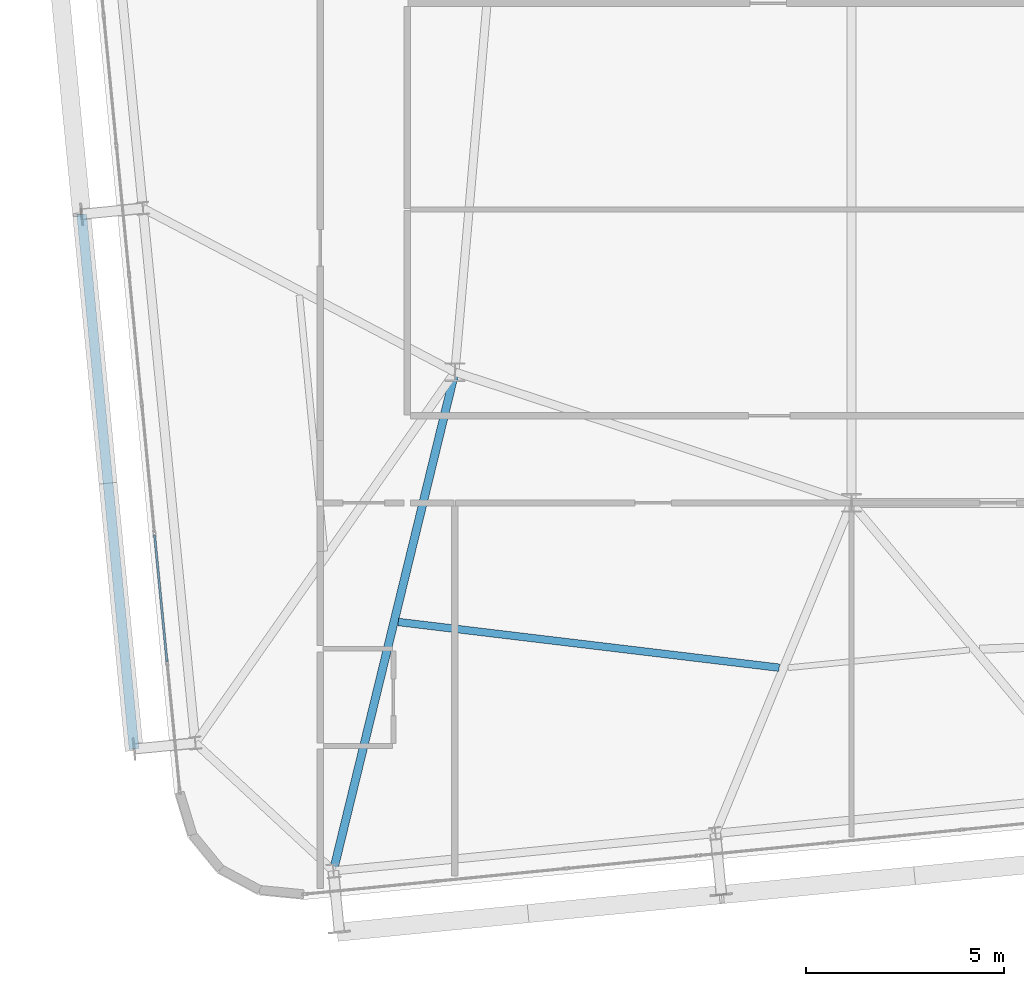
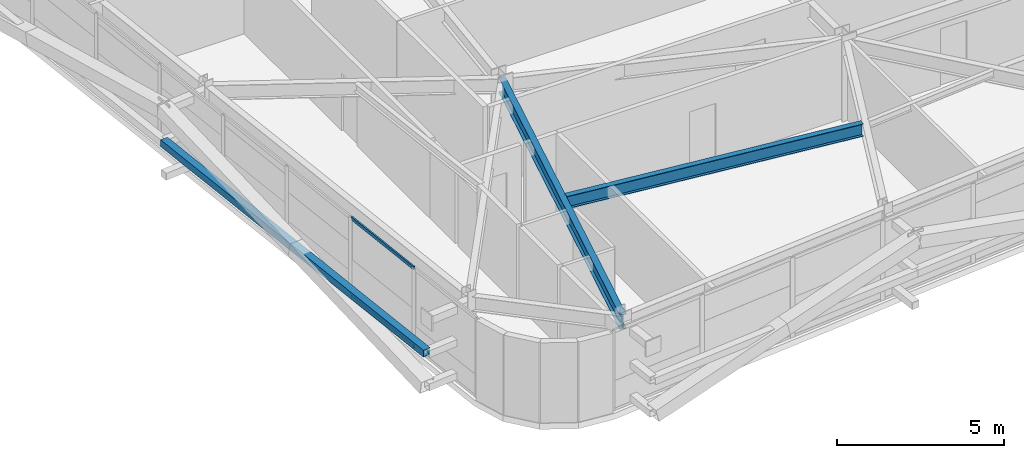
# One storey, part 7 of 52: 3 members, 2 beams, 1 element without a shape of its own.
"""IFC4 building model written with IfcOpenShell, lengths in metres."""

from ifc_helpers import new_model, si_unit, direction, frame, origin, origin_2d, place, context, subcontext, project, spatial, hollow_rectangle, i_section, extrude, source, transform, mapped, material, layer, layer_set, material_profile, profile_set, type_object, element, aggregate, save


model = new_model("IFC4")

# Units and contexts
model_context = context("Model", 3, precision=1e-05, world=origin(), true_north=direction((0.0, 1.0)))
body_context = subcontext(model_context, "Body", "Model", "MODEL_VIEW")
ifc_project = project(units=[si_unit("LENGTHUNIT", "METRE"), si_unit("AREAUNIT", "SQUARE_METRE"), si_unit("VOLUMEUNIT", "CUBIC_METRE"), si_unit("PLANEANGLEUNIT", "RADIAN"), si_unit("MASSUNIT", "GRAM", prefix="KILO")], contexts=[model_context])

# Site, building, storey
site_placement = place(None, origin())
site = spatial("IfcSite", under=ifc_project, at=site_placement, CompositionType="ELEMENT")
building_placement = place(site_placement, origin())
building = spatial("IfcBuilding", under=site, at=building_placement, Name="Taldren Reach Tower", CompositionType="ELEMENT")
storey_placement = place(building_placement, frame((0.0, 0.0, 74.550048828125)))
storey = spatial("IfcBuildingStorey", under=building, at=storey_placement, Name="L22", CompositionType="ELEMENT", Elevation=74.550048828125)

# Beams
ifc_material_1 = material(Name="Steel Gr 350 (350PLUS)", Category="steel")
ifc_material_profile_1 = material_profile(ifc_material_1, i_section(OverallWidth=0.208984375, OverallDepth=0.532958984375, WebThickness=0.01025390625, FlangeThickness=0.015625, at=origin_2d()), Name="530UB92.4")
ifc_profile_set_1 = profile_set([ifc_material_profile_1], Name="Steel Gr 350 (350PLUS)")
beam_type_1 = type_object("IfcBeamType", Name="BM-UB530A", PredefinedType="BEAM", material=ifc_profile_set_1)
shared_shape_1 = source(origin(), body_context, "Body", "SweptSolid", [
    extrude(i_section(OverallWidth=0.208984375, OverallDepth=0.532958984375, WebThickness=0.01025390625, FlangeThickness=0.015625, at=origin_2d()), origin(), (0.0, 0.0, 1.0), 12.947998046875),
])
beam_1_placement = place(storey_placement, frame((18.0, 12.5, 2.663330078125), z_axis=(-0.236786022782, -0.971561824803, 0.0), x_axis=(0.971561824803, -0.236786022782, 0.0)))
element("IfcBeam", 1, at=beam_1_placement, inside=storey, type_object=beam_type_1, Name="Primary floor girder B2-S1 L22", PredefinedType="BEAM", context=body_context, shape_type="MappedRepresentation", body=[
    mapped(shared_shape_1, transform((0.0, 0.0, 0.0), scale=1.0)),
])
ifc_material_profile_2 = material_profile(ifc_material_1, i_section(OverallWidth=0.19091796875, OverallDepth=0.4599609375, WebThickness=0.010009765625, FlangeThickness=0.01611328125, at=origin_2d()), Name="460UB82.1")
ifc_profile_set_2 = profile_set([ifc_material_profile_2], Name="Steel Gr 350 (350PLUS)")
beam_type_2 = type_object("IfcBeamType", Name="BM-UB460A", PredefinedType="BEAM", material=ifc_profile_set_2)
shared_shape_2 = source(origin(), body_context, "Body", "SweptSolid", [
    extrude(i_section(OverallWidth=0.19091796875, OverallDepth=0.4599609375, WebThickness=0.010009765625, FlangeThickness=0.01611328125, at=origin_2d()), origin(), (0.0, 0.0, 1.0), 9.673583984375),
])
beam_2_placement = place(storey_placement, frame((16.571533203125, 6.197509765625, 2.699951171875), z_axis=(0.992879584922, -0.119122331431, 0.0), x_axis=(0.119122331431, 0.992879584922, 0.0)))
element("IfcBeam", 2, at=beam_2_placement, inside=storey, type_object=beam_type_2, Name="Secondary floor beam B2 J1 L22", PredefinedType="BEAM", context=body_context, shape_type="MappedRepresentation", body=[
    mapped(shared_shape_2, transform((0.0, 0.0, 0.0), scale=1.0)),
])

# Member
ifc_material_2 = material(Name="Steel Gr 350 (C350L0)", Category="steel")
ifc_material_profile_3 = material_profile(ifc_material_2, hollow_rectangle(XDim=0.25, YDim=0.25, WallThickness=0.010009765625, at=origin_2d()), Name="250x250x10.0SHS")
ifc_profile_set_3 = profile_set([ifc_material_profile_3], Name="Steel Gr 350 (C350L0)")
member_type_1 = type_object("IfcMemberType", Name="MB-POST250", PredefinedType="POST", material=ifc_profile_set_3)
shared_shape_3 = source(origin(), body_context, "Body", "SweptSolid", [
    extrude(hollow_rectangle(XDim=0.25, YDim=0.25, WallThickness=0.010009765625, at=origin_2d()), origin(), (0.0, 0.0, 1.0), 13.5498046875),
])
member_1_placement = place(storey_placement, frame((9.91015625, 2.99462890625, 1.43505859375), z_axis=(-0.097585771221, 0.995227118428, 0.0), x_axis=(-0.995227118428, -0.097585771221, 0.0)))
element("IfcMember", 3, at=member_1_placement, inside=storey, type_object=member_type_1, Name="Exoskeleton mid-height ring chord B2-W1 L22", PredefinedType="POST", context=body_context, shape_type="MappedRepresentation", body=[
    mapped(shared_shape_3, transform((0.0, 0.0, 0.0), scale=1.0)),
])

# Curtain wall, members
ifc_material_3 = material(Name="Aluminium and Low-E Glass Unitised System", Category="aluminium")
ifc_layer = layer(ifc_material_3, 0.159912109375)
ifc_layer_set = layer_set([ifc_layer], Name="Aluminium and Low-E Glass Unitised System")
curtain_wall_type = type_object("IfcCurtainWallType", Name="CW-SYS-3", PredefinedType="NOTDEFINED", material=ifc_layer_set)
curtain_wall_placement = place(storey_placement, origin())
curtain_wall = element("IfcCurtainWall", 4, at=curtain_wall_placement, inside=storey, type_object=curtain_wall_type, Name="Unitised curtain wall CW-L22-W", PredefinedType="NOTDEFINED")
ifc_material_4 = material(Name="Anodised Aluminium 6063-T6", Category="aluminium")
ifc_material_profile_4 = material_profile(ifc_material_4, hollow_rectangle(XDim=0.054931640625, YDim=0.1201171875, WallThickness=0.0029296875, at=origin_2d()), Name="ALU-120x55x3RHS")
ifc_profile_set_4 = profile_set([ifc_material_profile_4], Name="Anodised Aluminium 6063-T6")
member_type_2 = type_object("IfcMemberType", Name="CW-TRN-135", PredefinedType="USERDEFINED", material=ifc_profile_set_4)
shared_shape_4 = source(origin(), body_context, "Body", "SweptSolid", [
    extrude(hollow_rectangle(XDim=0.054931640625, YDim=0.1201171875, WallThickness=0.0029296875, at=origin_2d()), origin(), (0.0, 0.0, 1.0), 3.212646484375),
])
member_2_placement = place(storey_placement, frame((10.42578125, 8.3935546875, 0.02734375), z_axis=(0.097577327663, -0.995227946315, 0.0), x_axis=(0.995227946315, 0.097577327663, 0.0)))
member_2 = element("IfcMember", 5, at=member_2_placement, type_object=member_type_2, Name="CW-3 transom 8.1", ObjectType="TRANSOM", PredefinedType="USERDEFINED", context=body_context, shape_type="MappedRepresentation", body=[
    mapped(shared_shape_4, transform((0.0, 0.0, 0.0), scale=1.0)),
])
member_3_placement = place(storey_placement, frame((10.42578125, 8.3935546875, 2.90234375), z_axis=(0.097577327663, -0.995227946315, 0.0), x_axis=(0.995227946315, 0.097577327663, 0.0)))
member_3 = element("IfcMember", 6, at=member_3_placement, type_object=member_type_2, Name="CW-3 transom 8.2", ObjectType="TRANSOM", PredefinedType="USERDEFINED", context=body_context, shape_type="MappedRepresentation", body=[
    mapped(shared_shape_4, transform((0.0, 0.0, 0.0), scale=1.0)),
])
aggregate(curtain_wall, [member_2, member_3])

save(model, "model.ifc")
